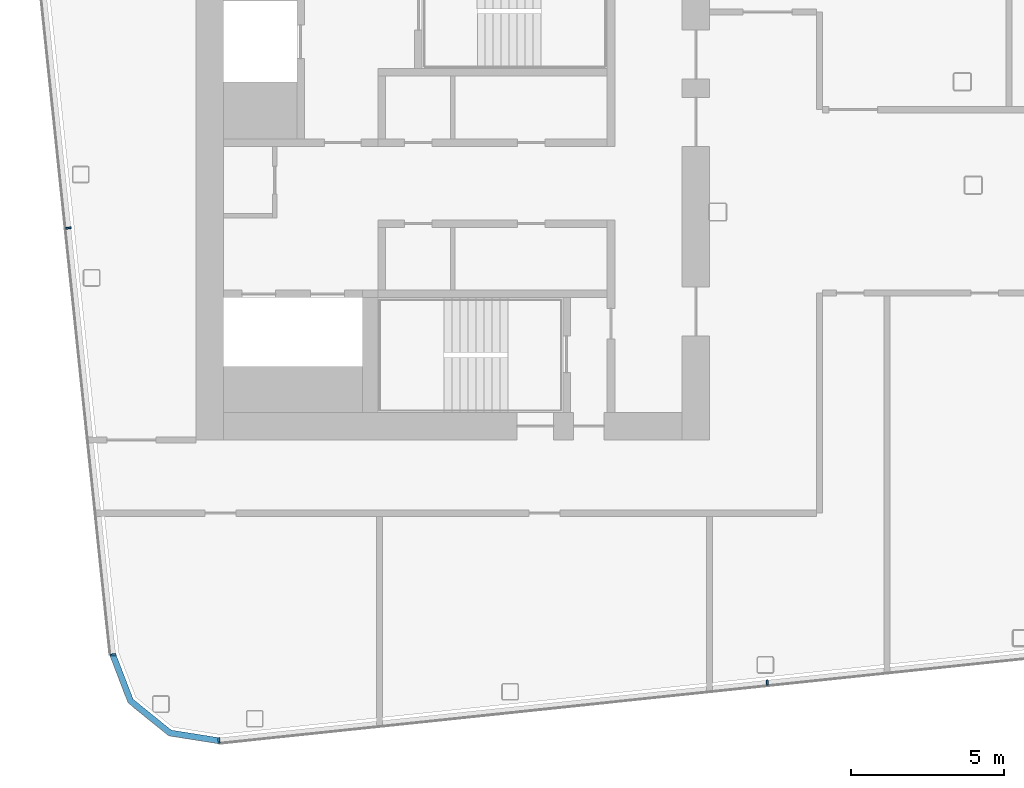
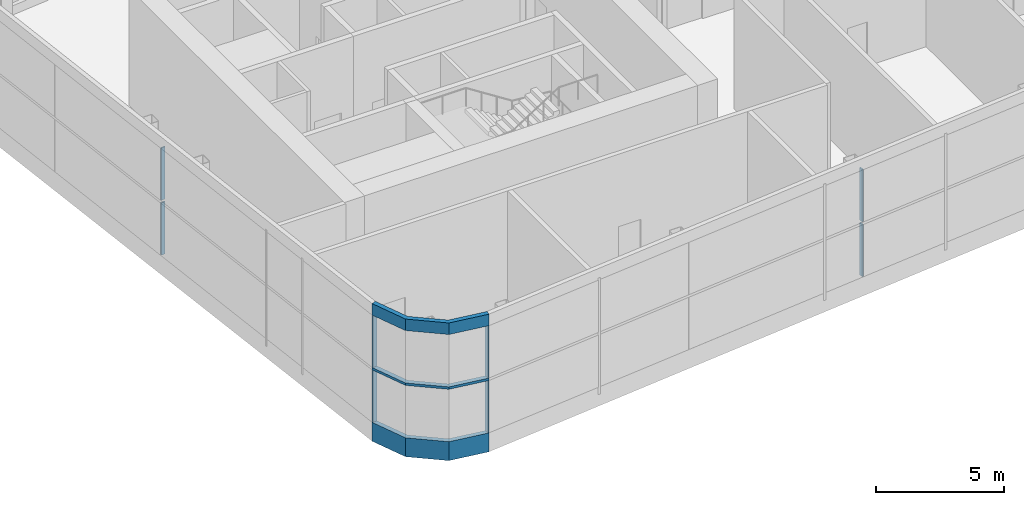
# One storey, part 3 of 35: 11 members, 3 elements without a shape of their own.
"""IFC4 building model written with IfcOpenShell, lengths in metres."""

import ifcopenshell
import ifcopenshell.guid

model = None  # the IFC model being written
_history = None  # IfcOwnerHistory: only IFC2X3 demands one
_inside = {}  # id of a spatial element -> (the spatial element, [elements in it])
_under = {}  # id of a project, library or spatial element -> (it, [spatial elements below it])
_declared = {}  # id of a project -> (the project, [libraries it declares])
_typed = {}  # id of a type object -> (the type object, [elements of that type])
_made_of = {}  # id of a material, layer set ... -> (it, [elements and type objects made of it])


def new_model(schema):
    """Start an empty IFC model of exactly this schema.

    Asked for "IFC4X3", IfcOpenShell would pick the latest addendum, in which some entities
    have other attributes; the version numbers below select the first issue.
    IFC2X3 requires an IfcOwnerHistory on every rooted entity: one is made here for all.
    """
    global model, _history
    if schema == "IFC4X3":
        model = ifcopenshell.file(schema_version=(4, 3, 0, 0))
    else:
        model = ifcopenshell.file(schema=schema)
    _inside.clear()
    _under.clear()
    _declared.clear()
    _typed.clear()
    _made_of.clear()
    _history = None
    if model.schema == "IFC2X3":
        org = make("IfcOrganization", Name="unknown")
        user = make(
            "IfcPersonAndOrganization",
            ThePerson=make("IfcPerson", FamilyName="unknown"),
            TheOrganization=org,
        )
        app = make(
            "IfcApplication",
            ApplicationDeveloper=org,
            Version="unknown",
            ApplicationFullName="unknown",
            ApplicationIdentifier="unknown",
        )
        _history = make(
            "IfcOwnerHistory",
            OwningUser=user,
            OwningApplication=app,
            ChangeAction="ADDED",
            CreationDate=0,
        )
    return model


def make(cls, **values):
    """One entity of the class cls with the attributes given. An attribute that is None is left unset."""
    return model.create_entity(
        cls, **{name: value for name, value in values.items() if value is not None}
    )


def rooted(cls, **values):
    """An entity with a GlobalId (a new one), such as an element, a storey or a relation."""
    return make(cls, GlobalId=ifcopenshell.guid.new(), OwnerHistory=_history, **values)


def si_unit(unit_type, name, prefix=None):
    """IfcSIUnit, for example si_unit("LENGTHUNIT", "METRE", prefix="MILLI")."""
    return make("IfcSIUnit", UnitType=unit_type, Prefix=prefix, Name=name)


def assignment(units):
    """IfcUnitAssignment: the units of a project."""
    return None if units is None else make("IfcUnitAssignment", Units=units)


def point(xyz):
    """IfcCartesianPoint."""
    return None if xyz is None else make("IfcCartesianPoint", Coordinates=xyz)


def direction(xyz):
    """IfcDirection."""
    return None if xyz is None else make("IfcDirection", DirectionRatios=xyz)


def frame(location, z_axis=None, x_axis=None):
    """IfcAxis2Placement3D, a coordinate frame: its origin and axes. An axis left out is left unset."""
    return make(
        "IfcAxis2Placement3D",
        Location=point(location),
        Axis=direction(z_axis),
        RefDirection=direction(x_axis),
    )


def frame_2d(location, x_axis=None):
    """IfcAxis2Placement2D, a coordinate frame in the plane: its origin and x axis."""
    return make(
        "IfcAxis2Placement2D", Location=point(location), RefDirection=direction(x_axis)
    )


def origin():
    """The frame at (0, 0, 0) with its axes left unset."""
    return frame((0.0, 0.0, 0.0))


def origin_2d():
    """The frame at (0, 0) in the plane with its x axis left unset."""
    return frame_2d((0.0, 0.0))


def place(relative_to, where):
    """IfcLocalPlacement: puts the frame where relative to a parent placement (None: the world)."""
    return make(
        "IfcLocalPlacement", PlacementRelTo=relative_to, RelativePlacement=where
    )


def context(
    kind, dimensions, precision=None, world=None, true_north=None, identifier=None
):
    """IfcGeometricRepresentationContext, for example the 3D "Model" context."""
    return make(
        "IfcGeometricRepresentationContext",
        ContextIdentifier=identifier,
        ContextType=kind,
        CoordinateSpaceDimension=dimensions,
        Precision=precision,
        WorldCoordinateSystem=world,
        TrueNorth=true_north,
    )


def subcontext(parent, identifier, kind, view, scale=None):
    """IfcGeometricRepresentationSubContext, for example "Body" below "Model"."""
    return make(
        "IfcGeometricRepresentationSubContext",
        ContextIdentifier=identifier,
        ContextType=kind,
        ParentContext=parent,
        TargetScale=scale,
        TargetView=view,
    )


def project(units=None, contexts=None):
    """IfcProject with its units and contexts."""
    return rooted(
        "IfcProject",
        Name="project",
        RepresentationContexts=contexts,
        UnitsInContext=assignment(units),
    )


def spatial(cls, under=None, at=None, **own):
    """A site, building, storey or space (cls), placed at a placement, below another one or the project."""
    s = rooted(cls, ObjectPlacement=at, **own)
    if under is not None:
        _under.setdefault(under.id(), (under, []))[1].append(s)
    return s


def polyline(points):
    """IfcPolyline through the points."""
    return make("IfcPolyline", Points=[point(p) for p in points])


def profile(cls, at=None, kind="AREA", **sizes):
    """A parametric profile (cls). Its sizes go by their IFC names, for example OverallWidth=200.0."""
    return make(cls, ProfileType=kind, Position=at, **sizes)


def rectangle(**sizes):
    """IfcRectangleProfileDef."""
    return profile("IfcRectangleProfileDef", **sizes)


def outline(outer, holes=None, kind="AREA"):
    """IfcArbitraryClosedProfileDef: a profile drawn as a closed curve; with holes, ...WithVoids."""
    if holes is None:
        return make("IfcArbitraryClosedProfileDef", ProfileType=kind, OuterCurve=outer)
    return make(
        "IfcArbitraryProfileDefWithVoids",
        ProfileType=kind,
        OuterCurve=outer,
        InnerCurves=holes,
    )


def extrude(swept, where, along, depth):
    """IfcExtrudedAreaSolid: the profile swept, set in the frame where, extruded along a direction by depth."""
    return make(
        "IfcExtrudedAreaSolid",
        SweptArea=swept,
        Position=where,
        ExtrudedDirection=direction(along),
        Depth=depth,
    )


def shape(context_of_items, identifier, shape_type, items):
    """IfcShapeRepresentation: the items that make up one representation, for example the "Body"."""
    return make(
        "IfcShapeRepresentation",
        ContextOfItems=context_of_items,
        RepresentationIdentifier=identifier,
        RepresentationType=shape_type,
        Items=items,
    )


def material(Name=None, Category=None):
    """IfcMaterial."""
    return make("IfcMaterial", Name=Name, Category=Category)


def layer(
    of_material, thickness, ventilated=None, Name=None, Category=None, Priority=None
):
    """IfcMaterialLayer: one layer of a wall or slab, of a material (None: an air gap)."""
    return make(
        "IfcMaterialLayer",
        Material=of_material,
        LayerThickness=thickness,
        IsVentilated=ventilated,
        Name=Name,
        Category=Category,
        Priority=Priority,
    )


def layer_set(layers, Name=None):
    """IfcMaterialLayerSet."""
    return make("IfcMaterialLayerSet", MaterialLayers=layers, LayerSetName=Name)


def material_profile(
    of_material, cross_section, Name=None, Category=None, Priority=None
):
    """IfcMaterialProfile: a cross section and its material."""
    return make(
        "IfcMaterialProfile",
        Name=Name,
        Material=of_material,
        Profile=cross_section,
        Priority=Priority,
        Category=Category,
    )


def profile_set(profiles, Name=None, composite=None):
    """IfcMaterialProfileSet."""
    return make(
        "IfcMaterialProfileSet",
        Name=Name,
        MaterialProfiles=profiles,
        CompositeProfile=composite,
    )


def made_of(thing, what):
    """Note that an element or type object is made of a material, layer set ...; save() writes the relation."""
    if what is not None:
        _made_of.setdefault(what.id(), (what, []))[1].append(thing)
    return thing


def type_object(cls, material=None, **own):
    """A type object (cls), such as IfcWallType, which elements share."""
    return made_of(rooted(cls, **own), material)


def element(
    cls,
    number,
    at=None,
    inside=None,
    cuts=None,
    type_object=None,
    material=None,
    context=None,
    identifier="Body",
    shape_type=None,
    held_by="IfcProductDefinitionShape",
    body=None,
    shapes=None,
    **own,
):
    """One element of the class cls, such as IfcWall. Its Tag is "e" and its number.

    at: its placement. inside: the storey or other place that contains it. cuts: it is an
    opening in that element (IfcRelVoidsElement). A single representation is given by context,
    identifier, shape_type and body (its items); several are given by shapes. held_by: the class
    of the entity that holds the representations. save() writes the other relations.
    """
    e = rooted(cls, Tag="e%d" % number, ObjectPlacement=at, **own)
    if body is not None:
        shapes = [shape(context, identifier, shape_type, body)]
    if shapes is not None:
        e.Representation = make(held_by, Representations=shapes)
    if inside is not None:
        _inside.setdefault(inside.id(), (inside, []))[1].append(e)
    if cuts is not None:
        rooted(
            "IfcRelVoidsElement", RelatingBuildingElement=cuts, RelatedOpeningElement=e
        )
    if type_object is not None:
        _typed.setdefault(type_object.id(), (type_object, []))[1].append(e)
    return made_of(e, material)


def aggregate(whole, parts):
    """IfcRelAggregates: a whole, such as a stair, and the parts it consists of."""
    return rooted("IfcRelAggregates", RelatingObject=whole, RelatedObjects=parts)


def save(model, path):
    """Write the relations noted so far, then the file.

    IfcRelAggregates (storeys below a building ...), IfcRelContainedInSpatialStructure (elements
    in a storey), IfcRelDefinesByType, IfcRelAssociatesMaterial and IfcRelDeclares: one each for
    every whole, place, type object, material and project.
    """
    for whole, parts in _under.values():
        aggregate(whole, parts)
    for where, things in _inside.values():
        rooted(
            "IfcRelContainedInSpatialStructure",
            RelatedElements=things,
            RelatingStructure=where,
        )
    for kind, things in _typed.values():
        rooted("IfcRelDefinesByType", RelatedObjects=things, RelatingType=kind)
    for what, things in _made_of.values():
        rooted("IfcRelAssociatesMaterial", RelatedObjects=things, RelatingMaterial=what)
    for by, libraries in _declared.values():
        rooted("IfcRelDeclares", RelatingContext=by, RelatedDefinitions=libraries)
    model.write(path)


model = new_model("IFC4")

# Units and contexts
model_context = context("Model", 3, precision=1e-05, world=origin(), true_north=direction((0.0, 1.0)))
body_context = subcontext(model_context, "Body", "Model", "MODEL_VIEW")
ifc_project = project(units=[si_unit("LENGTHUNIT", "METRE"), si_unit("AREAUNIT", "SQUARE_METRE"), si_unit("VOLUMEUNIT", "CUBIC_METRE"), si_unit("PLANEANGLEUNIT", "RADIAN"), si_unit("MASSUNIT", "GRAM", prefix="KILO")], contexts=[model_context])

# Site, building, storey
site_placement = place(None, origin())
site = spatial("IfcSite", under=ifc_project, at=site_placement, CompositionType="ELEMENT")
building_placement = place(site_placement, origin())
building = spatial("IfcBuilding", under=site, at=building_placement, Name="Hakoniwa Tower and Hamabe Station Hall", CompositionType="ELEMENT")
storey_placement = place(building_placement, frame((0.0, 0.0, 270.60009765625)))
storey = spatial("IfcBuildingStorey", under=building, at=storey_placement, Name="L76", CompositionType="ELEMENT", Elevation=270.60009765625)

# Curtain wall, members
ifc_material_1 = material(Name="Dark low-e laminated glass", Category="glass")
ifc_layer = layer(ifc_material_1, 0.199951171875)
ifc_layer_set = layer_set([ifc_layer], Name="CW-1 UNITISED GUEST")
curtain_wall_type = type_object("IfcCurtainWallType", Name="CW-1 UNITISED GUEST", PredefinedType="NOTDEFINED", material=ifc_layer_set)
curtain_wall_1_placement = place(storey_placement, origin())
curtain_wall_1 = element("IfcCurtainWall", 1, at=curtain_wall_1_placement, inside=storey, type_object=curtain_wall_type, Name="CW-1 curtain wall", PredefinedType="NOTDEFINED")
ifc_material_2 = material(Name="Aluminium 6063-T5 black anodised", Category="aluminium")
ifc_material_profile_1 = material_profile(ifc_material_2, rectangle(XDim=0.199951171875, YDim=0.550048828125, at=origin_2d()), Name="CW HEAD BAND 550X200")
ifc_profile_set_1 = profile_set([ifc_material_profile_1], Name="Aluminium 6063-T5 black anodised")
member_type_1 = type_object("IfcMemberType", Name="CW HEAD BAND 550X200", PredefinedType="USERDEFINED", material=ifc_profile_set_1)
member_1_placement = place(storey_placement, frame((0.0, 0.0, 5.449951171875)))
member_1 = element("IfcMember", 2, at=member_1_placement, type_object=member_type_1, Name="CW-1 transom", ObjectType="TRANSOM", PredefinedType="USERDEFINED", context=body_context, shape_type="SweptSolid", body=[
    extrude(outline(polyline([(-36.423828125, -15.445068359375), (-35.82421875, -17.0068359375), (-34.492431640625, -18.085205078125), (-32.84033203125, -18.346923828125), (-32.80908203125, -18.1494140625), (-34.408203125, -17.89599609375), (-35.65673828125, -16.885009765625), (-36.237060546875, -15.37353515625), (-36.423828125, -15.445068359375)])), origin(), (0.0, 0.0, 1.0), 0.550048828125),
])
ifc_material_3 = material(Name="Aluminium 6063-T5 black anodised", Category="aluminium")
ifc_material_profile_2 = material_profile(ifc_material_3, rectangle(XDim=0.199951171875, YDim=0.1201171875, at=origin_2d()), Name="CW MID TRANSOM 120X200")
ifc_profile_set_2 = profile_set([ifc_material_profile_2], Name="Aluminium 6063-T5 black anodised")
member_type_2 = type_object("IfcMemberType", Name="CW MID TRANSOM 120X200", PredefinedType="USERDEFINED", material=ifc_profile_set_2)
member_2_placement = place(storey_placement, frame((0.0, 0.0, 2.83984375)))
member_2 = element("IfcMember", 3, at=member_2_placement, type_object=member_type_2, Name="CW-1 transom", ObjectType="TRANSOM", PredefinedType="USERDEFINED", context=body_context, shape_type="SweptSolid", body=[
    extrude(outline(polyline([(-36.423828125, -15.445068359375), (-35.82421875, -17.0068359375), (-34.492431640625, -18.085205078125), (-32.84033203125, -18.346923828125), (-32.80908203125, -18.1494140625), (-34.408203125, -17.89599609375), (-35.65673828125, -16.885009765625), (-36.237060546875, -15.37353515625), (-36.423828125, -15.445068359375)])), origin(), (0.0, 0.0, 1.0), 0.1201171875),
])
ifc_material_4 = material(Name="Aluminium 6063-T5 black anodised", Category="aluminium")
ifc_material_profile_3 = material_profile(ifc_material_4, rectangle(XDim=0.199951171875, YDim=0.89990234375, at=origin_2d()), Name="CW SLAB-EDGE BAND 900X200")
ifc_profile_set_3 = profile_set([ifc_material_profile_3], Name="Aluminium 6063-T5 black anodised")
member_type_3 = type_object("IfcMemberType", Name="CW SLAB-EDGE BAND 900X200", PredefinedType="USERDEFINED", material=ifc_profile_set_3)
member_3_placement = place(storey_placement, frame((0.0, 0.0, -0.550048828125)))
member_3 = element("IfcMember", 4, at=member_3_placement, type_object=member_type_3, Name="CW-1 transom", ObjectType="TRANSOM", PredefinedType="USERDEFINED", context=body_context, shape_type="SweptSolid", body=[
    extrude(outline(polyline([(-36.423828125, -15.445068359375), (-35.82421875, -17.0068359375), (-34.492431640625, -18.085205078125), (-32.84033203125, -18.346923828125), (-32.80908203125, -18.1494140625), (-34.408203125, -17.89599609375), (-35.65673828125, -16.885009765625), (-36.237060546875, -15.37353515625), (-36.423828125, -15.445068359375)])), origin(), (0.0, 0.0, 1.0), 0.89990234375),
])
aggregate(curtain_wall_1, [member_3, member_2, member_1])

curtain_wall_2_placement = place(storey_placement, origin())
curtain_wall_2 = element("IfcCurtainWall", 5, at=curtain_wall_2_placement, inside=storey, type_object=curtain_wall_type, Name="CW-1 curtain wall", PredefinedType="NOTDEFINED")
ifc_material_5 = material(Name="Aluminium 6063-T5 black anodised", Category="aluminium")
ifc_material_profile_4 = material_profile(ifc_material_5, rectangle(XDim=0.06005859375, YDim=0.179931640625, at=origin_2d()), Name="CW-1 MULLION 60X180")
ifc_profile_set_4 = profile_set([ifc_material_profile_4], Name="Aluminium 6063-T5 black anodised")
member_type_4 = type_object("IfcMemberType", Name="CW-1 MULLION 60X180", PredefinedType="MULLION", material=ifc_profile_set_4)
member_4_placement = place(storey_placement, frame((-37.77392578125, -1.47021484375, 0.349853515625), z_axis=(0.0, 0.0, 1.0), x_axis=(0.104528468631, -0.994521894805, 0.0)))
member_4 = element("IfcMember", 6, at=member_4_placement, type_object=member_type_4, Name="CW-1 mullion", PredefinedType="MULLION", context=body_context, shape_type="SweptSolid", body=[
    extrude(rectangle(XDim=0.06005859375, YDim=0.179931640625, at=origin_2d()), origin(), (0.0, 0.0, 1.0), 2.489990234375),
])
member_5_placement = place(storey_placement, frame((-37.77392578125, -1.47021484375, 2.9599609375), z_axis=(0.0, 0.0, 1.0), x_axis=(0.104528468631, -0.994521894805, 0.0)))
member_5 = element("IfcMember", 7, at=member_5_placement, type_object=member_type_4, Name="CW-1 mullion", PredefinedType="MULLION", context=body_context, shape_type="SweptSolid", body=[
    extrude(rectangle(XDim=0.06005859375, YDim=0.179931640625, at=origin_2d()), origin(), (0.0, 0.0, 1.0), 2.489990234375),
])
member_6_placement = place(storey_placement, frame((-36.306396484375, -15.432861328125, 0.349853515625), z_axis=(0.0, 0.0, 1.0), x_axis=(0.104528468631, -0.994521894805, 0.0)))
member_6 = element("IfcMember", 8, at=member_6_placement, type_object=member_type_4, Name="CW-1 mullion", PredefinedType="MULLION", context=body_context, shape_type="SweptSolid", body=[
    extrude(rectangle(XDim=0.06005859375, YDim=0.179931640625, at=origin_2d()), origin(), (0.0, 0.0, 1.0), 2.489990234375),
])
member_7_placement = place(storey_placement, frame((-36.306396484375, -15.432861328125, 2.9599609375), z_axis=(0.0, 0.0, 1.0), x_axis=(0.104528468631, -0.994521894805, 0.0)))
member_7 = element("IfcMember", 9, at=member_7_placement, type_object=member_type_4, Name="CW-1 mullion", PredefinedType="MULLION", context=body_context, shape_type="SweptSolid", body=[
    extrude(rectangle(XDim=0.06005859375, YDim=0.179931640625, at=origin_2d()), origin(), (0.0, 0.0, 1.0), 2.489990234375),
])
aggregate(curtain_wall_2, [member_4, member_5, member_6, member_7])

curtain_wall_3_placement = place(storey_placement, origin())
curtain_wall_3 = element("IfcCurtainWall", 10, at=curtain_wall_3_placement, inside=storey, type_object=curtain_wall_type, Name="CW-1 curtain wall", PredefinedType="NOTDEFINED")
member_8_placement = place(storey_placement, frame((-32.8525390625, -18.2294921875, 0.349853515625), z_axis=(0.0, 0.0, 1.0), x_axis=(0.994521895272, 0.104528464188, 0.0)))
member_8 = element("IfcMember", 11, at=member_8_placement, type_object=member_type_4, Name="CW-1 mullion", PredefinedType="MULLION", context=body_context, shape_type="SweptSolid", body=[
    extrude(rectangle(XDim=0.06005859375, YDim=0.179931640625, at=origin_2d()), origin(), (0.0, 0.0, 1.0), 2.489990234375),
])
member_9_placement = place(storey_placement, frame((-32.8525390625, -18.2294921875, 2.9599609375), z_axis=(0.0, 0.0, 1.0), x_axis=(0.994521895272, 0.104528464188, 0.0)))
member_9 = element("IfcMember", 12, at=member_9_placement, type_object=member_type_4, Name="CW-1 mullion", PredefinedType="MULLION", context=body_context, shape_type="SweptSolid", body=[
    extrude(rectangle(XDim=0.06005859375, YDim=0.179931640625, at=origin_2d()), origin(), (0.0, 0.0, 1.0), 2.489990234375),
])
member_10_placement = place(storey_placement, frame((-14.911865234375, -16.343994140625, 0.349853515625), z_axis=(0.0, 0.0, 1.0), x_axis=(0.994521895272, 0.104528464188, 0.0)))
member_10 = element("IfcMember", 13, at=member_10_placement, type_object=member_type_4, Name="CW-1 mullion", PredefinedType="MULLION", context=body_context, shape_type="SweptSolid", body=[
    extrude(rectangle(XDim=0.06005859375, YDim=0.179931640625, at=origin_2d()), origin(), (0.0, 0.0, 1.0), 2.489990234375),
])
member_11_placement = place(storey_placement, frame((-14.911865234375, -16.343994140625, 2.9599609375), z_axis=(0.0, 0.0, 1.0), x_axis=(0.994521895272, 0.104528464188, 0.0)))
member_11 = element("IfcMember", 14, at=member_11_placement, type_object=member_type_4, Name="CW-1 mullion", PredefinedType="MULLION", context=body_context, shape_type="SweptSolid", body=[
    extrude(rectangle(XDim=0.06005859375, YDim=0.179931640625, at=origin_2d()), origin(), (0.0, 0.0, 1.0), 2.489990234375),
])
aggregate(curtain_wall_3, [member_8, member_9, member_10, member_11])

save(model, "model.ifc")
